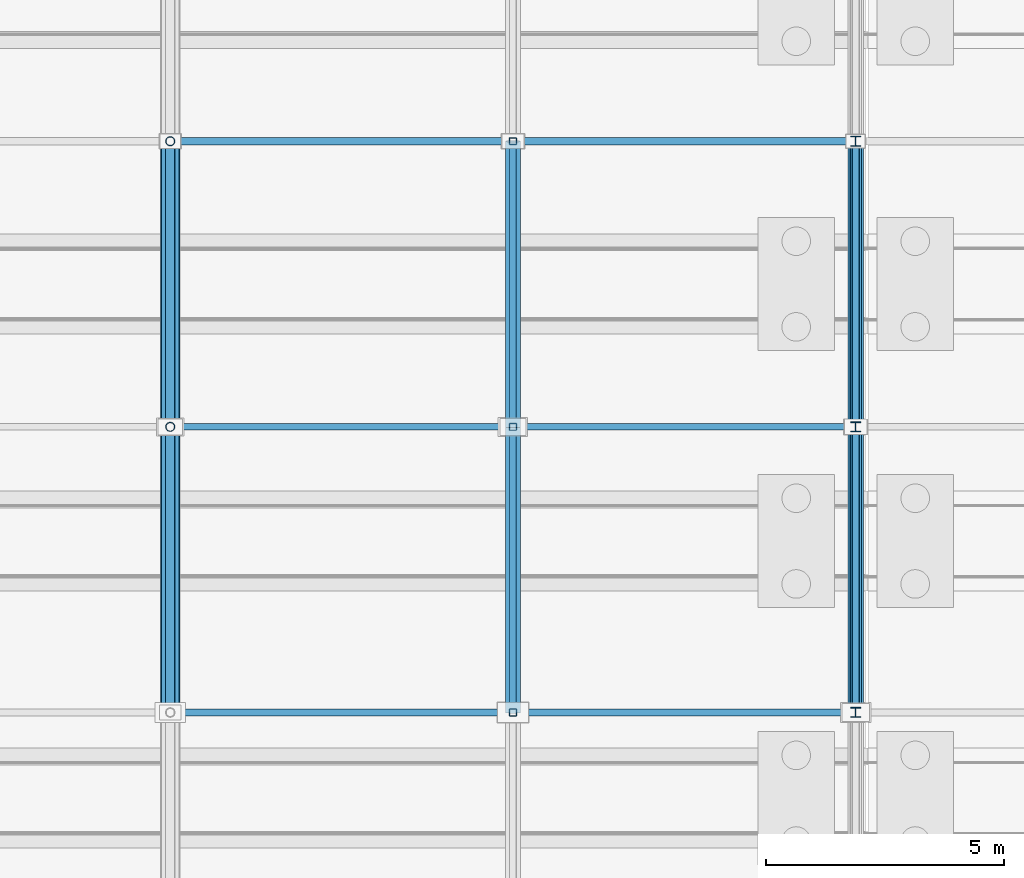
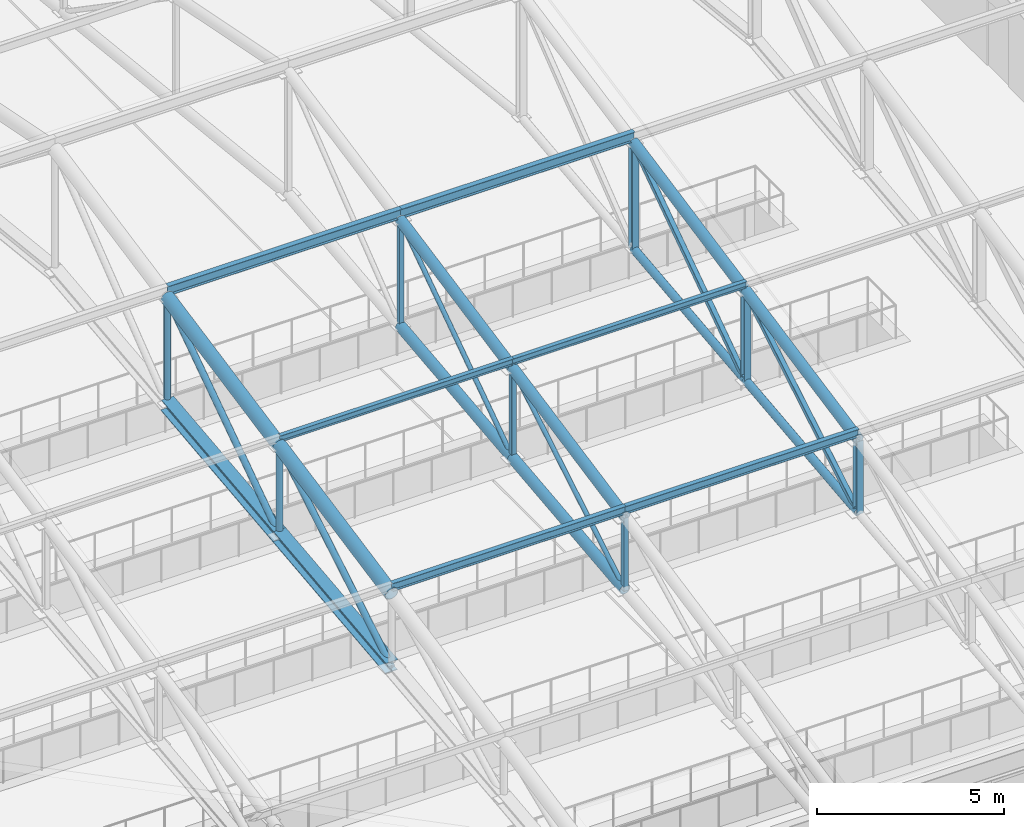
# One storey, part 180 of 293: 32 members.
"""IFC4 building model written with IfcOpenShell, lengths in metres."""

import ifcopenshell
import ifcopenshell.guid

model = None  # the IFC model being written
_history = None  # IfcOwnerHistory: only IFC2X3 demands one
_inside = {}  # id of a spatial element -> (the spatial element, [elements in it])
_under = {}  # id of a project, library or spatial element -> (it, [spatial elements below it])
_declared = {}  # id of a project -> (the project, [libraries it declares])
_typed = {}  # id of a type object -> (the type object, [elements of that type])
_made_of = {}  # id of a material, layer set ... -> (it, [elements and type objects made of it])


def new_model(schema):
    """Start an empty IFC model of exactly this schema.

    Asked for "IFC4X3", IfcOpenShell would pick the latest addendum, in which some entities
    have other attributes; the version numbers below select the first issue.
    IFC2X3 requires an IfcOwnerHistory on every rooted entity: one is made here for all.
    """
    global model, _history
    if schema == "IFC4X3":
        model = ifcopenshell.file(schema_version=(4, 3, 0, 0))
    else:
        model = ifcopenshell.file(schema=schema)
    _inside.clear()
    _under.clear()
    _declared.clear()
    _typed.clear()
    _made_of.clear()
    _history = None
    if model.schema == "IFC2X3":
        org = make("IfcOrganization", Name="unknown")
        user = make(
            "IfcPersonAndOrganization",
            ThePerson=make("IfcPerson", FamilyName="unknown"),
            TheOrganization=org,
        )
        app = make(
            "IfcApplication",
            ApplicationDeveloper=org,
            Version="unknown",
            ApplicationFullName="unknown",
            ApplicationIdentifier="unknown",
        )
        _history = make(
            "IfcOwnerHistory",
            OwningUser=user,
            OwningApplication=app,
            ChangeAction="ADDED",
            CreationDate=0,
        )
    return model


def make(cls, **values):
    """One entity of the class cls with the attributes given. An attribute that is None is left unset."""
    return model.create_entity(
        cls, **{name: value for name, value in values.items() if value is not None}
    )


def rooted(cls, **values):
    """An entity with a GlobalId (a new one), such as an element, a storey or a relation."""
    return make(cls, GlobalId=ifcopenshell.guid.new(), OwnerHistory=_history, **values)


def si_unit(unit_type, name, prefix=None):
    """IfcSIUnit, for example si_unit("LENGTHUNIT", "METRE", prefix="MILLI")."""
    return make("IfcSIUnit", UnitType=unit_type, Prefix=prefix, Name=name)


def assignment(units):
    """IfcUnitAssignment: the units of a project."""
    return None if units is None else make("IfcUnitAssignment", Units=units)


def point(xyz):
    """IfcCartesianPoint."""
    return None if xyz is None else make("IfcCartesianPoint", Coordinates=xyz)


def direction(xyz):
    """IfcDirection."""
    return None if xyz is None else make("IfcDirection", DirectionRatios=xyz)


def frame(location, z_axis=None, x_axis=None):
    """IfcAxis2Placement3D, a coordinate frame: its origin and axes. An axis left out is left unset."""
    return make(
        "IfcAxis2Placement3D",
        Location=point(location),
        Axis=direction(z_axis),
        RefDirection=direction(x_axis),
    )


def frame_2d(location, x_axis=None):
    """IfcAxis2Placement2D, a coordinate frame in the plane: its origin and x axis."""
    return make(
        "IfcAxis2Placement2D", Location=point(location), RefDirection=direction(x_axis)
    )


def origin():
    """The frame at (0, 0, 0) with its axes left unset."""
    return frame((0.0, 0.0, 0.0))


def origin_2d():
    """The frame at (0, 0) in the plane with its x axis left unset."""
    return frame_2d((0.0, 0.0))


def place(relative_to, where):
    """IfcLocalPlacement: puts the frame where relative to a parent placement (None: the world)."""
    return make(
        "IfcLocalPlacement", PlacementRelTo=relative_to, RelativePlacement=where
    )


def context(
    kind, dimensions, precision=None, world=None, true_north=None, identifier=None
):
    """IfcGeometricRepresentationContext, for example the 3D "Model" context."""
    return make(
        "IfcGeometricRepresentationContext",
        ContextIdentifier=identifier,
        ContextType=kind,
        CoordinateSpaceDimension=dimensions,
        Precision=precision,
        WorldCoordinateSystem=world,
        TrueNorth=true_north,
    )


def subcontext(parent, identifier, kind, view, scale=None):
    """IfcGeometricRepresentationSubContext, for example "Body" below "Model"."""
    return make(
        "IfcGeometricRepresentationSubContext",
        ContextIdentifier=identifier,
        ContextType=kind,
        ParentContext=parent,
        TargetScale=scale,
        TargetView=view,
    )


def project(units=None, contexts=None):
    """IfcProject with its units and contexts."""
    return rooted(
        "IfcProject",
        Name="project",
        RepresentationContexts=contexts,
        UnitsInContext=assignment(units),
    )


def spatial(cls, under=None, at=None, **own):
    """A site, building, storey or space (cls), placed at a placement, below another one or the project."""
    s = rooted(cls, ObjectPlacement=at, **own)
    if under is not None:
        _under.setdefault(under.id(), (under, []))[1].append(s)
    return s


def profile(cls, at=None, kind="AREA", **sizes):
    """A parametric profile (cls). Its sizes go by their IFC names, for example OverallWidth=200.0."""
    return make(cls, ProfileType=kind, Position=at, **sizes)


def hollow_rectangle(**sizes):
    """IfcRectangleHollowProfileDef."""
    return profile("IfcRectangleHollowProfileDef", **sizes)


def hollow_circle(**sizes):
    """IfcCircleHollowProfileDef."""
    return profile("IfcCircleHollowProfileDef", **sizes)


def i_section(**sizes):
    """IfcIShapeProfileDef."""
    return profile("IfcIShapeProfileDef", **sizes)


def extrude(swept, where, along, depth):
    """IfcExtrudedAreaSolid: the profile swept, set in the frame where, extruded along a direction by depth."""
    return make(
        "IfcExtrudedAreaSolid",
        SweptArea=swept,
        Position=where,
        ExtrudedDirection=direction(along),
        Depth=depth,
    )


def shape(context_of_items, identifier, shape_type, items):
    """IfcShapeRepresentation: the items that make up one representation, for example the "Body"."""
    return make(
        "IfcShapeRepresentation",
        ContextOfItems=context_of_items,
        RepresentationIdentifier=identifier,
        RepresentationType=shape_type,
        Items=items,
    )


def material(Name=None, Category=None):
    """IfcMaterial."""
    return make("IfcMaterial", Name=Name, Category=Category)


def material_profile(
    of_material, cross_section, Name=None, Category=None, Priority=None
):
    """IfcMaterialProfile: a cross section and its material."""
    return make(
        "IfcMaterialProfile",
        Name=Name,
        Material=of_material,
        Profile=cross_section,
        Priority=Priority,
        Category=Category,
    )


def profile_set(profiles, Name=None, composite=None):
    """IfcMaterialProfileSet."""
    return make(
        "IfcMaterialProfileSet",
        Name=Name,
        MaterialProfiles=profiles,
        CompositeProfile=composite,
    )


def made_of(thing, what):
    """Note that an element or type object is made of a material, layer set ...; save() writes the relation."""
    if what is not None:
        _made_of.setdefault(what.id(), (what, []))[1].append(thing)
    return thing


def type_object(cls, material=None, **own):
    """A type object (cls), such as IfcWallType, which elements share."""
    return made_of(rooted(cls, **own), material)


def element(
    cls,
    number,
    at=None,
    inside=None,
    cuts=None,
    type_object=None,
    material=None,
    context=None,
    identifier="Body",
    shape_type=None,
    held_by="IfcProductDefinitionShape",
    body=None,
    shapes=None,
    **own,
):
    """One element of the class cls, such as IfcWall. Its Tag is "e" and its number.

    at: its placement. inside: the storey or other place that contains it. cuts: it is an
    opening in that element (IfcRelVoidsElement). A single representation is given by context,
    identifier, shape_type and body (its items); several are given by shapes. held_by: the class
    of the entity that holds the representations. save() writes the other relations.
    """
    e = rooted(cls, Tag="e%d" % number, ObjectPlacement=at, **own)
    if body is not None:
        shapes = [shape(context, identifier, shape_type, body)]
    if shapes is not None:
        e.Representation = make(held_by, Representations=shapes)
    if inside is not None:
        _inside.setdefault(inside.id(), (inside, []))[1].append(e)
    if cuts is not None:
        rooted(
            "IfcRelVoidsElement", RelatingBuildingElement=cuts, RelatedOpeningElement=e
        )
    if type_object is not None:
        _typed.setdefault(type_object.id(), (type_object, []))[1].append(e)
    return made_of(e, material)


def aggregate(whole, parts):
    """IfcRelAggregates: a whole, such as a stair, and the parts it consists of."""
    return rooted("IfcRelAggregates", RelatingObject=whole, RelatedObjects=parts)


def save(model, path):
    """Write the relations noted so far, then the file.

    IfcRelAggregates (storeys below a building ...), IfcRelContainedInSpatialStructure (elements
    in a storey), IfcRelDefinesByType, IfcRelAssociatesMaterial and IfcRelDeclares: one each for
    every whole, place, type object, material and project.
    """
    for whole, parts in _under.values():
        aggregate(whole, parts)
    for where, things in _inside.values():
        rooted(
            "IfcRelContainedInSpatialStructure",
            RelatedElements=things,
            RelatingStructure=where,
        )
    for kind, things in _typed.values():
        rooted("IfcRelDefinesByType", RelatedObjects=things, RelatingType=kind)
    for what, things in _made_of.values():
        rooted("IfcRelAssociatesMaterial", RelatedObjects=things, RelatingMaterial=what)
    for by, libraries in _declared.values():
        rooted("IfcRelDeclares", RelatingContext=by, RelatedDefinitions=libraries)
    model.write(path)


model = new_model("IFC4")

# Units and contexts
model_context = context("Model", 3, precision=1e-05, world=origin(), true_north=direction((0.0, 1.0)))
body_context = subcontext(model_context, "Body", "Model", "MODEL_VIEW")
ifc_project = project(units=[si_unit("LENGTHUNIT", "METRE"), si_unit("AREAUNIT", "SQUARE_METRE"), si_unit("VOLUMEUNIT", "CUBIC_METRE"), si_unit("PLANEANGLEUNIT", "RADIAN"), si_unit("MASSUNIT", "GRAM", prefix="KILO")], contexts=[model_context])

# Site, building, storey
site_placement = place(None, origin())
site = spatial("IfcSite", under=ifc_project, at=site_placement, CompositionType="ELEMENT")
building_placement = place(site_placement, origin())
building = spatial("IfcBuilding", under=site, at=building_placement, Name="Kemerveld Promenade Tramway Depot", CompositionType="ELEMENT")
storey_placement = place(building_placement, origin())
storey = spatial("IfcBuildingStorey", under=building, at=storey_placement, Name="L00", CompositionType="ELEMENT", Elevation=0.0)

# Members
ifc_material = material(Name="Steel S355", Category="steel")
ifc_material_profile_1 = material_profile(ifc_material, i_section(OverallWidth=0.165771484375, OverallDepth=0.306640625, WebThickness=0.006591796875, FlangeThickness=0.01171875, FilletRadius=0.0087890625, at=origin_2d()), Name="305x165x46 UB")
ifc_profile_set_1 = profile_set([ifc_material_profile_1], Name="Steel S355")
member_type_1 = type_object("IfcMemberType", Name="MB-M06", PredefinedType="PURLIN", material=ifc_profile_set_1)
for number, where, z_axis, x_axis, name in (
    (1, (144.0, 108.0, 16.14501953125), (1.0, 0.0, 0.0), (0.0, 1.0, 0.0), "PUR-V1-04-21"),
    (2, (151.199951171875, 108.0, 16.14501953125), (1.0, 0.0, 0.0), (0.0, 1.0, 0.0), "PUR-V1-04-22"),
):
    element("IfcMember", number, at=place(storey_placement, frame(where, z_axis=z_axis, x_axis=x_axis)), inside=storey, type_object=member_type_1, Name=name, PredefinedType="PURLIN", context=body_context, shape_type="SweptSolid", body=[
        extrude(i_section(OverallWidth=0.165771484375, OverallDepth=0.306640625, WebThickness=0.006591796875, FlangeThickness=0.01171875, FilletRadius=0.0087890625, at=origin_2d()), origin(), (0.0, 0.0, 1.0), 7.199951171875),
    ])
ifc_material_profile_2 = material_profile(ifc_material, i_section(OverallWidth=0.37255859375, OverallDepth=0.3681640625, WebThickness=0.014404296875, FlangeThickness=0.023681640625, FilletRadius=0.01513671875, at=origin_2d()), Name="356x368x177 UC")
ifc_profile_set_2 = profile_set([ifc_material_profile_2], Name="Steel S355")
member_type_2 = type_object("IfcMemberType", Name="MB-M08", PredefinedType="CHORD", material=ifc_profile_set_2)
for number, where, z_axis, x_axis, name in (
    (3, (144.0, 96.0, 11.1201171875), (0.0, 0.994005938353, 0.109326092585), (-1.0, 0.0, 0.0), "TR-21-BC-03"),
    (4, (144.0, 102.0, 11.780029296875), (0.0, 0.994005938353, 0.109326092585), (-1.0, 0.0, 0.0), "TR-21-BC-04"),
):
    element("IfcMember", number, at=place(storey_placement, frame(where, z_axis=z_axis, x_axis=x_axis)), inside=storey, type_object=member_type_2, Name=name, PredefinedType="CHORD", context=body_context, shape_type="SweptSolid", body=[
        extrude(i_section(OverallWidth=0.37255859375, OverallDepth=0.3681640625, WebThickness=0.014404296875, FlangeThickness=0.023681640625, FilletRadius=0.01513671875, at=origin_2d()), origin(), (0.0, 0.0, 1.0), 6.0361328125),
    ])
ifc_material_profile_3 = material_profile(ifc_material, i_section(OverallWidth=0.146484375, OverallDepth=0.256103515625, WebThickness=0.00634765625, FlangeThickness=0.010986328125, FilletRadius=0.007568359375, at=origin_2d()), Name="254x146x37 UB")
ifc_profile_set_3 = profile_set([ifc_material_profile_3], Name="Steel S355")
member_type_3 = type_object("IfcMemberType", Name="MB-PR3", PredefinedType="PURLIN", material=ifc_profile_set_3)
for number, where, z_axis, x_axis, name in (
    (5, (144.0, 96.0, 13.7451171875), (1.0, 0.0, 0.0), (0.0, 1.0, 0.0), "PUR-V1-02-21"),
    (6, (151.199951171875, 96.0, 13.7451171875), (1.0, 0.0, 0.0), (0.0, 1.0, 0.0), "PUR-V1-02-22"),
):
    element("IfcMember", number, at=place(storey_placement, frame(where, z_axis=z_axis, x_axis=x_axis)), inside=storey, type_object=member_type_3, Name=name, PredefinedType="PURLIN", context=body_context, shape_type="SweptSolid", body=[
        extrude(i_section(OverallWidth=0.146484375, OverallDepth=0.256103515625, WebThickness=0.00634765625, FlangeThickness=0.010986328125, FilletRadius=0.007568359375, at=origin_2d()), origin(), (0.0, 0.0, 1.0), 7.199951171875),
    ])
ifc_material_profile_4 = material_profile(ifc_material, i_section(OverallWidth=0.13330078125, OverallDepth=0.203125, WebThickness=0.005615234375, FlangeThickness=0.0078125, FilletRadius=0.007568359375, at=origin_2d()), Name="203x133x25 UB")
ifc_profile_set_4 = profile_set([ifc_material_profile_4], Name="Steel S355")
member_type_4 = type_object("IfcMemberType", Name="MB-PR4", PredefinedType="PURLIN", material=ifc_profile_set_4)
for number, where, z_axis, x_axis, name in (
    (7, (144.0, 102.0, 14.945068359375), (1.0, 0.0, 0.0), (0.0, 1.0, 0.0), "PUR-V1-03-21"),
    (8, (151.199951171875, 102.0, 14.945068359375), (1.0, 0.0, 0.0), (0.0, 1.0, 0.0), "PUR-V1-03-22"),
):
    element("IfcMember", number, at=place(storey_placement, frame(where, z_axis=z_axis, x_axis=x_axis)), inside=storey, type_object=member_type_4, Name=name, PredefinedType="PURLIN", context=body_context, shape_type="SweptSolid", body=[
        extrude(i_section(OverallWidth=0.13330078125, OverallDepth=0.203125, WebThickness=0.005615234375, FlangeThickness=0.0078125, FilletRadius=0.007568359375, at=origin_2d()), origin(), (0.0, 0.0, 1.0), 7.199951171875),
    ])
ifc_material_profile_5 = material_profile(ifc_material, hollow_circle(Radius=0.096923828125, WallThickness=0.008056640625, at=origin_2d()), Name="193.7x8.0 CHS")
ifc_profile_set_5 = profile_set([ifc_material_profile_5], Name="Steel S355")
member_type_5 = type_object("IfcMemberType", Name="MB-TB2", PredefinedType="BRACE", material=ifc_profile_set_5)
member_1_placement = place(storey_placement, frame((144.0, 96.0, 11.1201171875), z_axis=(0.0, 0.8587636701, 0.512371895128), x_axis=(-1.0, 0.0, 0.0)))
element("IfcMember", 9, at=member_1_placement, inside=storey, type_object=member_type_5, Name="TR-21-DG-03", PredefinedType="BRACE", context=body_context, shape_type="SweptSolid", body=[
    extrude(hollow_circle(Radius=0.096923828125, WallThickness=0.008056640625, at=origin_2d()), origin(), (0.0, 0.0, 1.0), 6.98681640625),
])
member_2_placement = place(storey_placement, frame((144.0, 102.0, 11.780029296875), z_axis=(0.0, 0.824370638462, 0.566050395673), x_axis=(-1.0, 0.0, 0.0)))
element("IfcMember", 10, at=member_2_placement, inside=storey, type_object=member_type_5, Name="TR-21-DG-04", PredefinedType="BRACE", context=body_context, shape_type="SweptSolid", body=[
    extrude(hollow_circle(Radius=0.096923828125, WallThickness=0.008056640625, at=origin_2d()), origin(), (0.0, 0.0, 1.0), 7.2783203125),
])
ifc_material_profile_6 = material_profile(ifc_material, hollow_circle(Radius=0.06982421875, WallThickness=0.00634765625, at=origin_2d()), Name="139.7x6.3 CHS")
ifc_profile_set_6 = profile_set([ifc_material_profile_6], Name="Steel S355")
member_type_6 = type_object("IfcMemberType", Name="MB-TB3", PredefinedType="BRACE", material=ifc_profile_set_6)
member_3_placement = place(storey_placement, frame((151.199951171875, 96.0, 11.1201171875), z_axis=(0.0, 0.8587636701, 0.512371895128), x_axis=(-1.0, 0.0, 0.0)))
element("IfcMember", 11, at=member_3_placement, inside=storey, type_object=member_type_6, Name="TR-22-DG-03", PredefinedType="BRACE", context=body_context, shape_type="SweptSolid", body=[
    extrude(hollow_circle(Radius=0.06982421875, WallThickness=0.00634765625, at=origin_2d()), origin(), (0.0, 0.0, 1.0), 6.98681640625),
])
member_4_placement = place(storey_placement, frame((151.199951171875, 102.0, 11.780029296875), z_axis=(0.0, 0.824370638462, 0.566050395673), x_axis=(-1.0, 0.0, 0.0)))
element("IfcMember", 12, at=member_4_placement, inside=storey, type_object=member_type_6, Name="TR-22-DG-04", PredefinedType="BRACE", context=body_context, shape_type="SweptSolid", body=[
    extrude(hollow_circle(Radius=0.06982421875, WallThickness=0.00634765625, at=origin_2d()), origin(), (0.0, 0.0, 1.0), 7.2783203125),
])
ifc_material_profile_7 = material_profile(ifc_material, hollow_rectangle(XDim=0.14990234375, YDim=0.14990234375, WallThickness=0.008056640625, InnerFilletRadius=0.00390625, OuterFilletRadius=0.011962890625, at=origin_2d()), Name="150x150x8.0 SHS")
ifc_profile_set_7 = profile_set([ifc_material_profile_7], Name="Steel S355")
member_type_7 = type_object("IfcMemberType", Name="MB-TB4", PredefinedType="BRACE", material=ifc_profile_set_7)
member_5_placement = place(storey_placement, frame((158.39990234375, 96.0, 11.1201171875), z_axis=(0.0, 0.8587636701, 0.512371895128), x_axis=(-1.0, 0.0, 0.0)))
element("IfcMember", 13, at=member_5_placement, inside=storey, type_object=member_type_7, Name="TR-23-DG-03", PredefinedType="BRACE", context=body_context, shape_type="SweptSolid", body=[
    extrude(hollow_rectangle(XDim=0.14990234375, YDim=0.14990234375, WallThickness=0.008056640625, InnerFilletRadius=0.00390625, OuterFilletRadius=0.011962890625, at=origin_2d()), origin(), (0.0, 0.0, 1.0), 6.98681640625),
])
member_6_placement = place(storey_placement, frame((158.39990234375, 102.0, 11.780029296875), z_axis=(0.0, 0.824370638462, 0.566050395673), x_axis=(-1.0, 0.0, 0.0)))
element("IfcMember", 14, at=member_6_placement, inside=storey, type_object=member_type_7, Name="TR-23-DG-04", PredefinedType="BRACE", context=body_context, shape_type="SweptSolid", body=[
    extrude(hollow_rectangle(XDim=0.14990234375, YDim=0.14990234375, WallThickness=0.008056640625, InnerFilletRadius=0.00390625, OuterFilletRadius=0.011962890625, at=origin_2d()), origin(), (0.0, 0.0, 1.0), 7.2783203125),
])
ifc_material_profile_8 = material_profile(ifc_material, hollow_circle(Radius=0.203125, WallThickness=0.01611328125, at=origin_2d()), Name="406.4x16.0 CHS")
ifc_profile_set_8 = profile_set([ifc_material_profile_8], Name="Steel S355")
member_type_8 = type_object("IfcMemberType", Name="MB-TC1", PredefinedType="CHORD", material=ifc_profile_set_8)
for number, where, z_axis, x_axis, name in (
    (15, (144.0, 96.0, 13.5), (0.0, 0.980582210276, 0.196108462057), (-1.0, 0.0, 0.0), "TR-21-TC-03"),
    (16, (144.0, 102.0, 14.699951171875), (0.0, 0.980582210276, 0.196108462057), (-1.0, 0.0, 0.0), "TR-21-TC-04"),
):
    element("IfcMember", number, at=place(storey_placement, frame(where, z_axis=z_axis, x_axis=x_axis)), inside=storey, type_object=member_type_8, Name=name, PredefinedType="CHORD", context=body_context, shape_type="SweptSolid", body=[
        extrude(hollow_circle(Radius=0.203125, WallThickness=0.01611328125, at=origin_2d()), origin(), (0.0, 0.0, 1.0), 6.118896484375),
    ])
ifc_material_profile_9 = material_profile(ifc_material, hollow_circle(Radius=0.161865234375, WallThickness=0.012451171875, at=origin_2d()), Name="323.9x12.5 CHS")
ifc_profile_set_9 = profile_set([ifc_material_profile_9], Name="Steel S355")
member_type_9 = type_object("IfcMemberType", Name="MB-TC2", PredefinedType="CHORD", material=ifc_profile_set_9)
member_7_placement = place(storey_placement, frame((151.199951171875, 96.0, 13.5), z_axis=(0.0, 0.980582210276, 0.196108462057), x_axis=(-1.0, 0.0, 0.0)))
element("IfcMember", 17, at=member_7_placement, inside=storey, type_object=member_type_9, Name="TR-22-TC-03", PredefinedType="CHORD", context=body_context, shape_type="SweptSolid", body=[
    extrude(hollow_circle(Radius=0.161865234375, WallThickness=0.012451171875, at=origin_2d()), origin(), (0.0, 0.0, 1.0), 6.118896484375),
])
member_8_placement = place(storey_placement, frame((151.199951171875, 96.0, 11.1201171875), z_axis=(0.0, 0.994005938353, 0.109326092585), x_axis=(-1.0, 0.0, 0.0)))
element("IfcMember", 18, at=member_8_placement, inside=storey, type_object=member_type_9, Name="TR-22-BC-03", PredefinedType="CHORD", context=body_context, shape_type="SweptSolid", body=[
    extrude(hollow_circle(Radius=0.161865234375, WallThickness=0.012451171875, at=origin_2d()), origin(), (0.0, 0.0, 1.0), 6.0361328125),
])
member_9_placement = place(storey_placement, frame((151.199951171875, 102.0, 14.699951171875), z_axis=(0.0, 0.980582210276, 0.196108462057), x_axis=(-1.0, 0.0, 0.0)))
element("IfcMember", 19, at=member_9_placement, inside=storey, type_object=member_type_9, Name="TR-22-TC-04", PredefinedType="CHORD", context=body_context, shape_type="SweptSolid", body=[
    extrude(hollow_circle(Radius=0.161865234375, WallThickness=0.012451171875, at=origin_2d()), origin(), (0.0, 0.0, 1.0), 6.118896484375),
])
member_10_placement = place(storey_placement, frame((151.199951171875, 102.0, 11.780029296875), z_axis=(0.0, 0.994005938353, 0.109326092585), x_axis=(-1.0, 0.0, 0.0)))
element("IfcMember", 20, at=member_10_placement, inside=storey, type_object=member_type_9, Name="TR-22-BC-04", PredefinedType="CHORD", context=body_context, shape_type="SweptSolid", body=[
    extrude(hollow_circle(Radius=0.161865234375, WallThickness=0.012451171875, at=origin_2d()), origin(), (0.0, 0.0, 1.0), 6.0361328125),
])
for number, where, z_axis, x_axis, name in (
    (21, (158.39990234375, 96.0, 13.5), (0.0, 0.980582210276, 0.196108462057), (-1.0, 0.0, 0.0), "TR-23-TC-03"),
    (22, (158.39990234375, 102.0, 14.699951171875), (0.0, 0.980582210276, 0.196108462057), (-1.0, 0.0, 0.0), "TR-23-TC-04"),
):
    element("IfcMember", number, at=place(storey_placement, frame(where, z_axis=z_axis, x_axis=x_axis)), inside=storey, type_object=member_type_9, Name=name, PredefinedType="CHORD", context=body_context, shape_type="SweptSolid", body=[
        extrude(hollow_circle(Radius=0.161865234375, WallThickness=0.012451171875, at=origin_2d()), origin(), (0.0, 0.0, 1.0), 6.118896484375),
    ])
ifc_material_profile_10 = material_profile(ifc_material, hollow_circle(Radius=0.122314453125, WallThickness=0.010009765625, at=origin_2d()), Name="244.5x10.0 CHS")
ifc_profile_set_10 = profile_set([ifc_material_profile_10], Name="Steel S355")
member_type_10 = type_object("IfcMemberType", Name="MB-TC3", PredefinedType="CHORD", material=ifc_profile_set_10)
for number, where, z_axis, x_axis, name in (
    (23, (158.39990234375, 96.0, 11.1201171875), (0.0, 0.994005938353, 0.109326092585), (-1.0, 0.0, 0.0), "TR-23-BC-03"),
    (24, (158.39990234375, 102.0, 11.780029296875), (0.0, 0.994005938353, 0.109326092585), (-1.0, 0.0, 0.0), "TR-23-BC-04"),
):
    element("IfcMember", number, at=place(storey_placement, frame(where, z_axis=z_axis, x_axis=x_axis)), inside=storey, type_object=member_type_10, Name=name, PredefinedType="CHORD", context=body_context, shape_type="SweptSolid", body=[
        extrude(hollow_circle(Radius=0.122314453125, WallThickness=0.010009765625, at=origin_2d()), origin(), (0.0, 0.0, 1.0), 6.0361328125),
    ])
ifc_material_profile_11 = material_profile(ifc_material, hollow_circle(Radius=0.096923828125, WallThickness=0.008056640625, at=origin_2d()), Name="193.7x8.0 CHS")
ifc_profile_set_11 = profile_set([ifc_material_profile_11], Name="Steel S355")
member_type_11 = type_object("IfcMemberType", Name="MB-TP1", PredefinedType="POST", material=ifc_profile_set_11)
member_11_placement = place(storey_placement, frame((144.0, 102.0, 11.780029296875), z_axis=(0.0, 0.0, 1.0), x_axis=(1.0, 0.0, 0.0)))
element("IfcMember", 25, at=member_11_placement, inside=storey, type_object=member_type_11, Name="TR-21-VT-03", PredefinedType="POST", context=body_context, shape_type="SweptSolid", body=[
    extrude(hollow_circle(Radius=0.096923828125, WallThickness=0.008056640625, at=origin_2d()), origin(), (0.0, 0.0, 1.0), 2.919921875),
])
member_12_placement = place(storey_placement, frame((144.0, 108.0, 12.43994140625), z_axis=(0.0, 0.0, 1.0), x_axis=(1.0, 0.0, 0.0)))
element("IfcMember", 26, at=member_12_placement, inside=storey, type_object=member_type_11, Name="TR-21-VT-04", PredefinedType="POST", context=body_context, shape_type="SweptSolid", body=[
    extrude(hollow_circle(Radius=0.096923828125, WallThickness=0.008056640625, at=origin_2d()), origin(), (0.0, 0.0, 1.0), 3.4599609375),
])
ifc_material_profile_12 = material_profile(ifc_material, hollow_rectangle(XDim=0.14990234375, YDim=0.14990234375, WallThickness=0.008056640625, InnerFilletRadius=0.00390625, OuterFilletRadius=0.011962890625, at=origin_2d()), Name="150x150x8.0 SHS")
ifc_profile_set_12 = profile_set([ifc_material_profile_12], Name="Steel S355")
member_type_12 = type_object("IfcMemberType", Name="MB-TP2", PredefinedType="POST", material=ifc_profile_set_12)
member_13_placement = place(storey_placement, frame((151.199951171875, 96.0, 11.1201171875), z_axis=(0.0, 0.0, 1.0), x_axis=(1.0, 0.0, 0.0)))
element("IfcMember", 27, at=member_13_placement, inside=storey, type_object=member_type_12, Name="TR-22-VT-02", PredefinedType="POST", context=body_context, shape_type="SweptSolid", body=[
    extrude(hollow_rectangle(XDim=0.14990234375, YDim=0.14990234375, WallThickness=0.008056640625, InnerFilletRadius=0.00390625, OuterFilletRadius=0.011962890625, at=origin_2d()), origin(), (0.0, 0.0, 1.0), 2.3798828125),
])
member_14_placement = place(storey_placement, frame((151.199951171875, 102.0, 11.780029296875), z_axis=(0.0, 0.0, 1.0), x_axis=(1.0, 0.0, 0.0)))
element("IfcMember", 28, at=member_14_placement, inside=storey, type_object=member_type_12, Name="TR-22-VT-03", PredefinedType="POST", context=body_context, shape_type="SweptSolid", body=[
    extrude(hollow_rectangle(XDim=0.14990234375, YDim=0.14990234375, WallThickness=0.008056640625, InnerFilletRadius=0.00390625, OuterFilletRadius=0.011962890625, at=origin_2d()), origin(), (0.0, 0.0, 1.0), 2.919921875),
])
member_15_placement = place(storey_placement, frame((151.199951171875, 108.0, 12.43994140625), z_axis=(0.0, 0.0, 1.0), x_axis=(1.0, 0.0, 0.0)))
element("IfcMember", 29, at=member_15_placement, inside=storey, type_object=member_type_12, Name="TR-22-VT-04", PredefinedType="POST", context=body_context, shape_type="SweptSolid", body=[
    extrude(hollow_rectangle(XDim=0.14990234375, YDim=0.14990234375, WallThickness=0.008056640625, InnerFilletRadius=0.00390625, OuterFilletRadius=0.011962890625, at=origin_2d()), origin(), (0.0, 0.0, 1.0), 3.4599609375),
])
ifc_material_profile_13 = material_profile(ifc_material, i_section(OverallWidth=0.205810546875, OverallDepth=0.209716796875, WebThickness=0.009521484375, FlangeThickness=0.01416015625, FilletRadius=0.01025390625, at=origin_2d()), Name="203x203x60 UC")
ifc_profile_set_13 = profile_set([ifc_material_profile_13], Name="Steel S355")
member_type_13 = type_object("IfcMemberType", Name="MB-TP3", PredefinedType="POST", material=ifc_profile_set_13)
member_16_placement = place(storey_placement, frame((158.39990234375, 96.0, 11.1201171875), z_axis=(0.0, 0.0, 1.0), x_axis=(1.0, 0.0, 0.0)))
element("IfcMember", 30, at=member_16_placement, inside=storey, type_object=member_type_13, Name="TR-23-VT-02", PredefinedType="POST", context=body_context, shape_type="SweptSolid", body=[
    extrude(i_section(OverallWidth=0.205810546875, OverallDepth=0.209716796875, WebThickness=0.009521484375, FlangeThickness=0.01416015625, FilletRadius=0.01025390625, at=origin_2d()), origin(), (0.0, 0.0, 1.0), 2.3798828125),
])
member_17_placement = place(storey_placement, frame((158.39990234375, 102.0, 11.780029296875), z_axis=(0.0, 0.0, 1.0), x_axis=(1.0, 0.0, 0.0)))
element("IfcMember", 31, at=member_17_placement, inside=storey, type_object=member_type_13, Name="TR-23-VT-03", PredefinedType="POST", context=body_context, shape_type="SweptSolid", body=[
    extrude(i_section(OverallWidth=0.205810546875, OverallDepth=0.209716796875, WebThickness=0.009521484375, FlangeThickness=0.01416015625, FilletRadius=0.01025390625, at=origin_2d()), origin(), (0.0, 0.0, 1.0), 2.919921875),
])
member_18_placement = place(storey_placement, frame((158.39990234375, 108.0, 12.43994140625), z_axis=(0.0, 0.0, 1.0), x_axis=(1.0, 0.0, 0.0)))
element("IfcMember", 32, at=member_18_placement, inside=storey, type_object=member_type_13, Name="TR-23-VT-04", PredefinedType="POST", context=body_context, shape_type="SweptSolid", body=[
    extrude(i_section(OverallWidth=0.205810546875, OverallDepth=0.209716796875, WebThickness=0.009521484375, FlangeThickness=0.01416015625, FilletRadius=0.01025390625, at=origin_2d()), origin(), (0.0, 0.0, 1.0), 3.4599609375),
])

save(model, "model.ifc")
